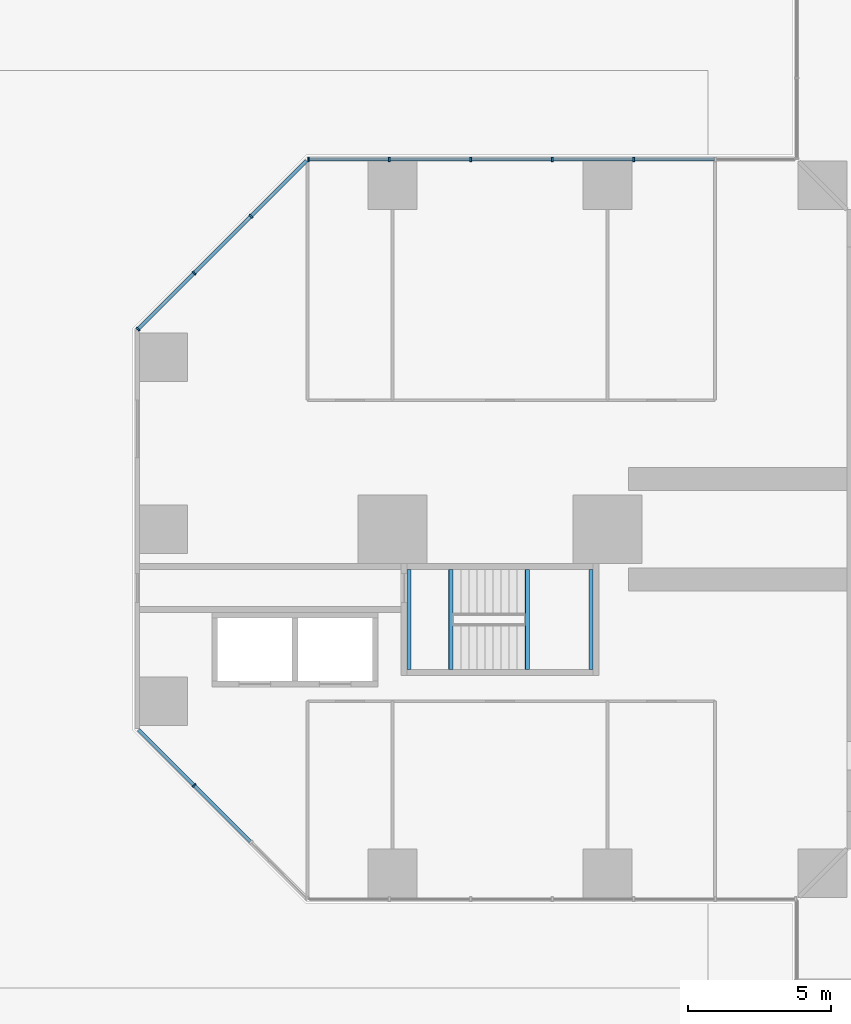
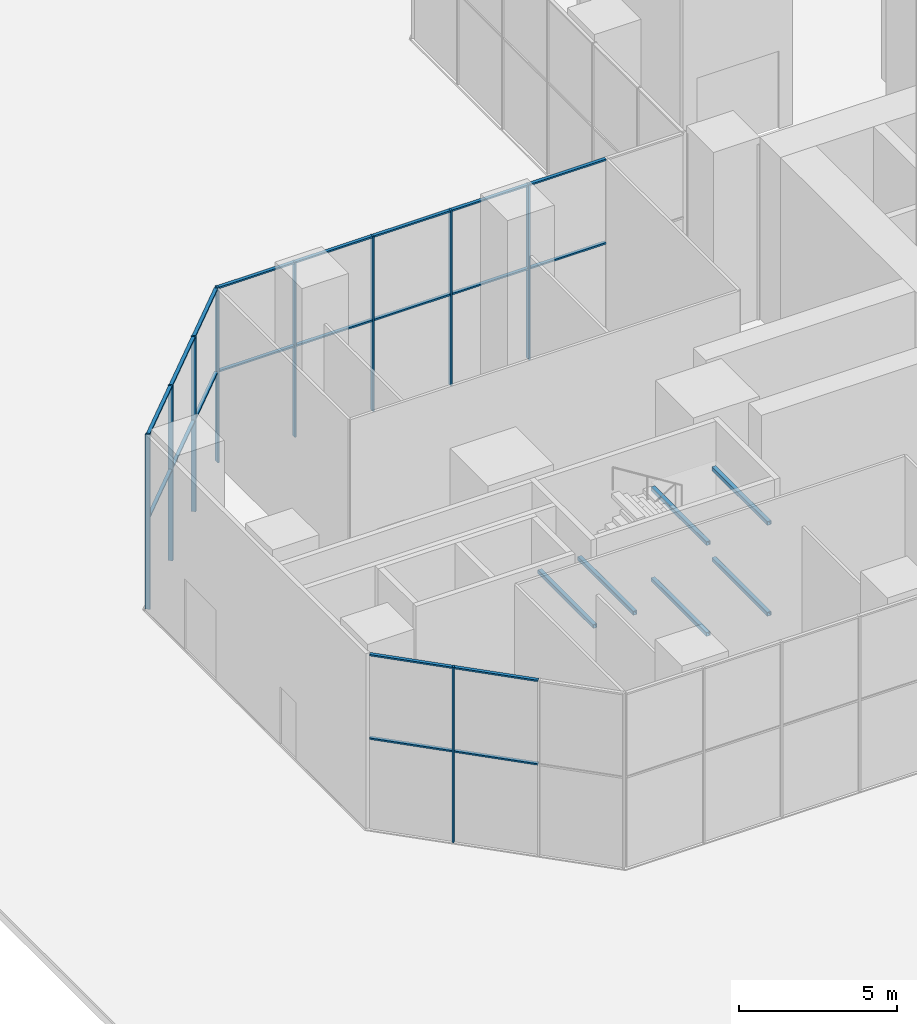
# One storey, part 8 of 43: 29 members, 6 beams, 3 elements without a shape of their own.
"""IFC4 building model written with IfcOpenShell, lengths in metres."""

from ifc_helpers import new_model, si_unit, direction, frame, origin, origin_2d, place, context, subcontext, project, spatial, rectangle, hollow_rectangle, extrude, material, material_profile, profile_set, type_object, element, aggregate, save


model = new_model("IFC4")

# Units and contexts
model_context = context("Model", 3, precision=1e-05, world=origin(), true_north=direction((0.0, 1.0)))
body_context = subcontext(model_context, "Body", "Model", "MODEL_VIEW")
ifc_project = project(units=[si_unit("LENGTHUNIT", "METRE"), si_unit("AREAUNIT", "SQUARE_METRE"), si_unit("VOLUMEUNIT", "CUBIC_METRE"), si_unit("PLANEANGLEUNIT", "RADIAN"), si_unit("MASSUNIT", "GRAM", prefix="KILO")], contexts=[model_context])

# Site, building, storey
site_placement = place(None, origin())
site = spatial("IfcSite", under=ifc_project, at=site_placement, CompositionType="ELEMENT")
building_placement = place(site_placement, origin())
building = spatial("IfcBuilding", under=site, at=building_placement, Name="Mizan Broadcast Tower", CompositionType="ELEMENT")
storey_placement = place(building_placement, origin())
storey = spatial("IfcBuildingStorey", under=building, at=storey_placement, Name="L00", CompositionType="ELEMENT", Elevation=0.0)

# Curtain wall, members
ifc_material_1 = material(Name="Aluminium framed glazing", Category="aluminium")
curtain_wall_type = type_object("IfcCurtainWallType", Name="PODIUM CURTAIN WALL", PredefinedType="USERDEFINED", material=ifc_material_1)
curtain_wall_1_placement = place(storey_placement, origin())
curtain_wall_1 = element("IfcCurtainWall", 1, at=curtain_wall_1_placement, inside=storey, type_object=curtain_wall_type, Name="Podium curtain wall L00 W side", ObjectType="PODIUM CURTAIN WALL", PredefinedType="USERDEFINED")
ifc_material_2 = material(Name="Aluminium, pale anodised", Category="aluminium")
ifc_material_profile_1 = material_profile(ifc_material_2, rectangle(XDim=0.159912109375, YDim=0.06005859375, at=origin_2d()), Name="MULLION 160x60")
ifc_profile_set_1 = profile_set([ifc_material_profile_1], Name="Aluminium, pale anodised")
member_type_1 = type_object("IfcMemberType", Name="INNER SKIN MULLION 60x160", PredefinedType="MULLION", material=ifc_profile_set_1)
member_1_placement = place(storey_placement, frame((-18.586181640625, 12.89990234375, 0.0), z_axis=(0.0, 0.0, 1.0), x_axis=(0.0, -1.0, 0.0)))
member_1 = element("IfcMember", 2, at=member_1_placement, type_object=member_type_1, Name="Podium curtain wall L00 W side mullion 3", PredefinedType="MULLION", context=body_context, shape_type="SweptSolid", body=[
    extrude(rectangle(XDim=0.159912109375, YDim=0.06005859375, at=origin_2d()), origin(), (0.0, 0.0, 1.0), 6.75),
])
member_2_placement = place(storey_placement, frame((-21.42919921875, 12.89990234375, 0.0), z_axis=(0.0, 0.0, 1.0), x_axis=(0.0, -1.0, 0.0)))
member_2 = element("IfcMember", 3, at=member_2_placement, type_object=member_type_1, Name="Podium curtain wall L00 W side mullion 4", PredefinedType="MULLION", context=body_context, shape_type="SweptSolid", body=[
    extrude(rectangle(XDim=0.159912109375, YDim=0.06005859375, at=origin_2d()), origin(), (0.0, 0.0, 1.0), 6.75),
])
member_3_placement = place(storey_placement, frame((-24.2724609375, 12.89990234375, 0.0), z_axis=(0.0, 0.0, 1.0), x_axis=(0.0, -1.0, 0.0)))
member_3 = element("IfcMember", 4, at=member_3_placement, type_object=member_type_1, Name="Podium curtain wall L00 W side mullion 5", PredefinedType="MULLION", context=body_context, shape_type="SweptSolid", body=[
    extrude(rectangle(XDim=0.159912109375, YDim=0.06005859375, at=origin_2d()), origin(), (0.0, 0.0, 1.0), 6.75),
])
member_4_placement = place(storey_placement, frame((-27.115478515625, 12.89990234375, 0.0), z_axis=(0.0, 0.0, 1.0), x_axis=(0.0, -1.0, 0.0)))
member_4 = element("IfcMember", 5, at=member_4_placement, type_object=member_type_1, Name="Podium curtain wall L00 W side mullion 6", PredefinedType="MULLION", context=body_context, shape_type="SweptSolid", body=[
    extrude(rectangle(XDim=0.159912109375, YDim=0.06005859375, at=origin_2d()), origin(), (0.0, 0.0, 1.0), 6.75),
])
member_5_placement = place(storey_placement, frame((-29.928466796875, 12.89990234375, 0.0), z_axis=(0.0, 0.0, 1.0), x_axis=(0.0, -1.0, 0.0)))
member_5 = element("IfcMember", 6, at=member_5_placement, type_object=member_type_1, Name="Podium curtain wall L00 W side mullion 7", PredefinedType="MULLION", context=body_context, shape_type="SweptSolid", body=[
    extrude(rectangle(XDim=0.159912109375, YDim=0.06005859375, at=origin_2d()), origin(), (0.0, 0.0, 1.0), 6.75),
])

curtain_wall_2_placement = place(storey_placement, origin())
curtain_wall_2 = element("IfcCurtainWall", 7, at=curtain_wall_2_placement, inside=storey, type_object=curtain_wall_type, Name="Podium curtain wall L00 W chamfer", ObjectType="PODIUM CURTAIN WALL", PredefinedType="USERDEFINED")
member_6_placement = place(storey_placement, frame((-31.93896484375, 10.91943359375, 0.0), z_axis=(0.0, 0.0, 1.0), x_axis=(0.707106781187, -0.707106781187, 0.0)))
member_6 = element("IfcMember", 8, at=member_6_placement, type_object=member_type_1, Name="Podium curtain wall L00 W chamfer mullion 2", PredefinedType="MULLION", context=body_context, shape_type="SweptSolid", body=[
    extrude(rectangle(XDim=0.159912109375, YDim=0.06005859375, at=origin_2d()), origin(), (0.0, 0.0, 1.0), 6.75),
])
member_7_placement = place(storey_placement, frame((-33.91943359375, 8.93896484375, 0.0), z_axis=(0.0, 0.0, 1.0), x_axis=(0.707106781187, -0.707106781187, 0.0)))
member_7 = element("IfcMember", 9, at=member_7_placement, type_object=member_type_1, Name="Podium curtain wall L00 W chamfer mullion 3", PredefinedType="MULLION", context=body_context, shape_type="SweptSolid", body=[
    extrude(rectangle(XDim=0.159912109375, YDim=0.06005859375, at=origin_2d()), origin(), (0.0, 0.0, 1.0), 6.75),
])
member_8_placement = place(storey_placement, frame((-35.87890625, 6.979736328125, 0.0), z_axis=(0.0, 0.0, 1.0), x_axis=(0.707106781187, -0.707106781187, 0.0)))
member_8 = element("IfcMember", 10, at=member_8_placement, type_object=member_type_1, Name="Podium curtain wall L00 W chamfer mullion 4", PredefinedType="MULLION", context=body_context, shape_type="SweptSolid", body=[
    extrude(rectangle(XDim=0.159912109375, YDim=0.06005859375, at=origin_2d()), origin(), (0.0, 0.0, 1.0), 6.75),
])

# Curtain wall, member
curtain_wall_3_placement = place(storey_placement, origin())
curtain_wall_3 = element("IfcCurtainWall", 11, at=curtain_wall_3_placement, inside=storey, type_object=curtain_wall_type, Name="Podium curtain wall L00 W chamfer", ObjectType="PODIUM CURTAIN WALL", PredefinedType="USERDEFINED")
member_9_placement = place(storey_placement, frame((-33.91943359375, -8.93896484375, 0.0), z_axis=(0.0, 0.0, 1.0), x_axis=(0.707106781187, 0.707106781187, 0.0)))
member_9 = element("IfcMember", 12, at=member_9_placement, type_object=member_type_1, Name="Podium curtain wall L00 W chamfer mullion 2", PredefinedType="MULLION", context=body_context, shape_type="SweptSolid", body=[
    extrude(rectangle(XDim=0.159912109375, YDim=0.06005859375, at=origin_2d()), origin(), (0.0, 0.0, 1.0), 6.75),
])

# Member
ifc_material_3 = material(Name="Aluminium, pale anodised", Category="aluminium")
ifc_material_profile_2 = material_profile(ifc_material_3, rectangle(XDim=0.1201171875, YDim=0.06005859375, at=origin_2d()), Name="TRANSOM 120x60")
ifc_profile_set_2 = profile_set([ifc_material_profile_2], Name="Aluminium, pale anodised")
member_type_2 = type_object("IfcMemberType", Name="INNER SKIN TRANSOM 60x120", PredefinedType="USERDEFINED", material=ifc_profile_set_2)
member_10_placement = place(storey_placement, frame((-15.773193359375, 12.89990234375, 3.5), z_axis=(-1.0, 0.0, 0.0), x_axis=(0.0, -1.0, 0.0)))
member_10 = element("IfcMember", 13, at=member_10_placement, type_object=member_type_2, Name="Podium curtain wall L00 W side transom 2.1", ObjectType="TRANSOM", PredefinedType="USERDEFINED", context=body_context, shape_type="SweptSolid", body=[
    extrude(rectangle(XDim=0.1201171875, YDim=0.06005859375, at=origin_2d()), origin(), (0.0, 0.0, 1.0), 2.782958984375),
])

member_11_placement = place(storey_placement, frame((-15.773193359375, 12.89990234375, 6.719970703125), z_axis=(-1.0, 0.0, 0.0), x_axis=(0.0, -1.0, 0.0)))
member_11 = element("IfcMember", 14, at=member_11_placement, type_object=member_type_2, Name="Podium curtain wall L00 W side transom 2.2", ObjectType="TRANSOM", PredefinedType="USERDEFINED", context=body_context, shape_type="SweptSolid", body=[
    extrude(rectangle(XDim=0.1201171875, YDim=0.06005859375, at=origin_2d()), origin(), (0.0, 0.0, 1.0), 2.782958984375),
])

member_12_placement = place(storey_placement, frame((-18.6162109375, 12.89990234375, 3.5), z_axis=(-1.0, 0.0, 0.0), x_axis=(0.0, -1.0, 0.0)))
member_12 = element("IfcMember", 15, at=member_12_placement, type_object=member_type_2, Name="Podium curtain wall L00 W side transom 3.1", ObjectType="TRANSOM", PredefinedType="USERDEFINED", context=body_context, shape_type="SweptSolid", body=[
    extrude(rectangle(XDim=0.1201171875, YDim=0.06005859375, at=origin_2d()), origin(), (0.0, 0.0, 1.0), 2.782958984375),
])

member_13_placement = place(storey_placement, frame((-18.6162109375, 12.89990234375, 6.719970703125), z_axis=(-1.0, 0.0, 0.0), x_axis=(0.0, -1.0, 0.0)))
member_13 = element("IfcMember", 16, at=member_13_placement, type_object=member_type_2, Name="Podium curtain wall L00 W side transom 3.2", ObjectType="TRANSOM", PredefinedType="USERDEFINED", context=body_context, shape_type="SweptSolid", body=[
    extrude(rectangle(XDim=0.1201171875, YDim=0.06005859375, at=origin_2d()), origin(), (0.0, 0.0, 1.0), 2.782958984375),
])

member_14_placement = place(storey_placement, frame((-21.459228515625, 12.89990234375, 3.5), z_axis=(-1.0, 0.0, 0.0), x_axis=(0.0, -1.0, 0.0)))
member_14 = element("IfcMember", 17, at=member_14_placement, type_object=member_type_2, Name="Podium curtain wall L00 W side transom 4.1", ObjectType="TRANSOM", PredefinedType="USERDEFINED", context=body_context, shape_type="SweptSolid", body=[
    extrude(rectangle(XDim=0.1201171875, YDim=0.06005859375, at=origin_2d()), origin(), (0.0, 0.0, 1.0), 2.783203125),
])

member_15_placement = place(storey_placement, frame((-21.459228515625, 12.89990234375, 6.719970703125), z_axis=(-1.0, 0.0, 0.0), x_axis=(0.0, -1.0, 0.0)))
member_15 = element("IfcMember", 18, at=member_15_placement, type_object=member_type_2, Name="Podium curtain wall L00 W side transom 4.2", ObjectType="TRANSOM", PredefinedType="USERDEFINED", context=body_context, shape_type="SweptSolid", body=[
    extrude(rectangle(XDim=0.1201171875, YDim=0.06005859375, at=origin_2d()), origin(), (0.0, 0.0, 1.0), 2.783203125),
])

member_16_placement = place(storey_placement, frame((-24.302490234375, 12.89990234375, 3.5), z_axis=(-1.0, 0.0, 0.0), x_axis=(0.0, -1.0, 0.0)))
member_16 = element("IfcMember", 19, at=member_16_placement, type_object=member_type_2, Name="Podium curtain wall L00 W side transom 5.1", ObjectType="TRANSOM", PredefinedType="USERDEFINED", context=body_context, shape_type="SweptSolid", body=[
    extrude(rectangle(XDim=0.1201171875, YDim=0.06005859375, at=origin_2d()), origin(), (0.0, 0.0, 1.0), 2.782958984375),
])

member_17_placement = place(storey_placement, frame((-24.302490234375, 12.89990234375, 6.719970703125), z_axis=(-1.0, 0.0, 0.0), x_axis=(0.0, -1.0, 0.0)))
member_17 = element("IfcMember", 20, at=member_17_placement, type_object=member_type_2, Name="Podium curtain wall L00 W side transom 5.2", ObjectType="TRANSOM", PredefinedType="USERDEFINED", context=body_context, shape_type="SweptSolid", body=[
    extrude(rectangle(XDim=0.1201171875, YDim=0.06005859375, at=origin_2d()), origin(), (0.0, 0.0, 1.0), 2.782958984375),
])

member_18_placement = place(storey_placement, frame((-27.1455078125, 12.89990234375, 3.5), z_axis=(-1.0, 0.0, 0.0), x_axis=(0.0, -1.0, 0.0)))
member_18 = element("IfcMember", 21, at=member_18_placement, type_object=member_type_2, Name="Podium curtain wall L00 W side transom 6.1", ObjectType="TRANSOM", PredefinedType="USERDEFINED", context=body_context, shape_type="SweptSolid", body=[
    extrude(rectangle(XDim=0.1201171875, YDim=0.06005859375, at=origin_2d()), origin(), (0.0, 0.0, 1.0), 2.753173828125),
])

member_19_placement = place(storey_placement, frame((-27.1455078125, 12.89990234375, 6.719970703125), z_axis=(-1.0, 0.0, 0.0), x_axis=(0.0, -1.0, 0.0)))
member_19 = element("IfcMember", 22, at=member_19_placement, type_object=member_type_2, Name="Podium curtain wall L00 W side transom 6.2", ObjectType="TRANSOM", PredefinedType="USERDEFINED", context=body_context, shape_type="SweptSolid", body=[
    extrude(rectangle(XDim=0.1201171875, YDim=0.06005859375, at=origin_2d()), origin(), (0.0, 0.0, 1.0), 2.753173828125),
])

aggregate(curtain_wall_1, [member_1, member_2, member_3, member_4, member_5, member_10, member_11, member_12, member_13, member_14, member_15, member_16, member_17, member_18, member_19])

member_20_placement = place(storey_placement, frame((-30.0009765625, 12.857666015625, 3.5), z_axis=(-0.707061749709, -0.707151809797, 0.0), x_axis=(0.707151809797, -0.707061749709, 0.0)))
member_20 = element("IfcMember", 23, at=member_20_placement, type_object=member_type_2, Name="Podium curtain wall L00 W chamfer transom 1.1", ObjectType="TRANSOM", PredefinedType="USERDEFINED", context=body_context, shape_type="SweptSolid", body=[
    extrude(rectangle(XDim=0.1201171875, YDim=0.06005859375, at=origin_2d()), origin(), (0.0, 0.0, 1.0), 2.7109375),
])

member_21_placement = place(storey_placement, frame((-30.0009765625, 12.857666015625, 6.719970703125), z_axis=(-0.707061749709, -0.707151809797, 0.0), x_axis=(0.707151809797, -0.707061749709, 0.0)))
member_21 = element("IfcMember", 24, at=member_21_placement, type_object=member_type_2, Name="Podium curtain wall L00 W chamfer transom 1.2", ObjectType="TRANSOM", PredefinedType="USERDEFINED", context=body_context, shape_type="SweptSolid", body=[
    extrude(rectangle(XDim=0.1201171875, YDim=0.06005859375, at=origin_2d()), origin(), (0.0, 0.0, 1.0), 2.7109375),
])

member_22_placement = place(storey_placement, frame((-31.960205078125, 10.898193359375, 3.5), z_axis=(-0.707106781187, -0.707106781187, 0.0), x_axis=(0.707106781187, -0.707106781187, 0.0)))
member_22 = element("IfcMember", 25, at=member_22_placement, type_object=member_type_2, Name="Podium curtain wall L00 W chamfer transom 2.1", ObjectType="TRANSOM", PredefinedType="USERDEFINED", context=body_context, shape_type="SweptSolid", body=[
    extrude(rectangle(XDim=0.1201171875, YDim=0.06005859375, at=origin_2d()), origin(), (0.0, 0.0, 1.0), 2.74072265625),
])

member_23_placement = place(storey_placement, frame((-31.960205078125, 10.898193359375, 6.719970703125), z_axis=(-0.707106781187, -0.707106781187, 0.0), x_axis=(0.707106781187, -0.707106781187, 0.0)))
member_23 = element("IfcMember", 26, at=member_23_placement, type_object=member_type_2, Name="Podium curtain wall L00 W chamfer transom 2.2", ObjectType="TRANSOM", PredefinedType="USERDEFINED", context=body_context, shape_type="SweptSolid", body=[
    extrude(rectangle(XDim=0.1201171875, YDim=0.06005859375, at=origin_2d()), origin(), (0.0, 0.0, 1.0), 2.74072265625),
])

member_24_placement = place(storey_placement, frame((-33.940673828125, 8.917724609375, 3.5), z_axis=(-0.707151809797, -0.707061749709, 0.0), x_axis=(0.707061749709, -0.707151809797, 0.0)))
member_24 = element("IfcMember", 27, at=member_24_placement, type_object=member_type_2, Name="Podium curtain wall L00 W chamfer transom 3.1", ObjectType="TRANSOM", PredefinedType="USERDEFINED", context=body_context, shape_type="SweptSolid", body=[
    extrude(rectangle(XDim=0.1201171875, YDim=0.06005859375, at=origin_2d()), origin(), (0.0, 0.0, 1.0), 2.7109375),
])

member_25_placement = place(storey_placement, frame((-33.940673828125, 8.917724609375, 6.719970703125), z_axis=(-0.707151809797, -0.707061749709, 0.0), x_axis=(0.707061749709, -0.707151809797, 0.0)))
member_25 = element("IfcMember", 28, at=member_25_placement, type_object=member_type_2, Name="Podium curtain wall L00 W chamfer transom 3.2", ObjectType="TRANSOM", PredefinedType="USERDEFINED", context=body_context, shape_type="SweptSolid", body=[
    extrude(rectangle(XDim=0.1201171875, YDim=0.06005859375, at=origin_2d()), origin(), (0.0, 0.0, 1.0), 2.7109375),
])

aggregate(curtain_wall_2, [member_6, member_7, member_8, member_20, member_21, member_22, member_23, member_24, member_25])

member_26_placement = place(storey_placement, frame((-35.857666015625, -7.0009765625, 3.5), z_axis=(0.707151809797, -0.707061749709, 0.0), x_axis=(0.707061749709, 0.707151809797, 0.0)))
member_26 = element("IfcMember", 29, at=member_26_placement, type_object=member_type_2, Name="Podium curtain wall L00 W chamfer transom 1.1", ObjectType="TRANSOM", PredefinedType="USERDEFINED", context=body_context, shape_type="SweptSolid", body=[
    extrude(rectangle(XDim=0.1201171875, YDim=0.06005859375, at=origin_2d()), origin(), (0.0, 0.0, 1.0), 2.7109375),
])

member_27_placement = place(storey_placement, frame((-35.857666015625, -7.0009765625, 6.719970703125), z_axis=(0.707151809797, -0.707061749709, 0.0), x_axis=(0.707061749709, 0.707151809797, 0.0)))
member_27 = element("IfcMember", 30, at=member_27_placement, type_object=member_type_2, Name="Podium curtain wall L00 W chamfer transom 1.2", ObjectType="TRANSOM", PredefinedType="USERDEFINED", context=body_context, shape_type="SweptSolid", body=[
    extrude(rectangle(XDim=0.1201171875, YDim=0.06005859375, at=origin_2d()), origin(), (0.0, 0.0, 1.0), 2.7109375),
])

member_28_placement = place(storey_placement, frame((-33.898193359375, -8.960205078125, 3.5), z_axis=(0.707106781187, -0.707106781187, 0.0), x_axis=(0.707106781187, 0.707106781187, 0.0)))
member_28 = element("IfcMember", 31, at=member_28_placement, type_object=member_type_2, Name="Podium curtain wall L00 W chamfer transom 2.1", ObjectType="TRANSOM", PredefinedType="USERDEFINED", context=body_context, shape_type="SweptSolid", body=[
    extrude(rectangle(XDim=0.1201171875, YDim=0.06005859375, at=origin_2d()), origin(), (0.0, 0.0, 1.0), 2.74072265625),
])

member_29_placement = place(storey_placement, frame((-33.898193359375, -8.960205078125, 6.719970703125), z_axis=(0.707106781187, -0.707106781187, 0.0), x_axis=(0.707106781187, 0.707106781187, 0.0)))
member_29 = element("IfcMember", 32, at=member_29_placement, type_object=member_type_2, Name="Podium curtain wall L00 W chamfer transom 2.2", ObjectType="TRANSOM", PredefinedType="USERDEFINED", context=body_context, shape_type="SweptSolid", body=[
    extrude(rectangle(XDim=0.1201171875, YDim=0.06005859375, at=origin_2d()), origin(), (0.0, 0.0, 1.0), 2.74072265625),
])

aggregate(curtain_wall_3, [member_9, member_26, member_27, member_28, member_29])

# Beams
ifc_material_4 = material(Name="Steel S355", Category="steel")
ifc_material_profile_3 = material_profile(ifc_material_4, hollow_rectangle(XDim=0.14990234375, YDim=0.14990234375, WallThickness=0.008056640625, InnerFilletRadius=0.008056640625, OuterFilletRadius=0.011962890625, at=origin_2d()), Name="SHS 150x150x8")
ifc_profile_set_3 = profile_set([ifc_material_profile_3], Name="Steel S355")
beam_type = type_object("IfcBeamType", Name="LANDING TRIMMER SHS 150x150x8", PredefinedType="BEAM", material=ifc_profile_set_3)
for number, where, z_axis, x_axis, name in (
    (33, (-22.294921875, -1.39990234375, 1.47509765625), (0.0, -1.0, 0.0), (1.0, 0.0, 0.0), "Stair D landing trimmer L00"),
    (34, (-20.074951171875, -1.39990234375, 1.47509765625), (0.0, -1.0, 0.0), (1.0, 0.0, 0.0), "Stair D landing trimmer L00"),
    (35, (-26.425048828125, -1.39990234375, 3.22509765625), (0.0, -1.0, 0.0), (1.0, 0.0, 0.0), "Stair D landing trimmer L00"),
    (36, (-24.965087890625, -1.39990234375, 3.22509765625), (0.0, -1.0, 0.0), (1.0, 0.0, 0.0), "Stair D landing trimmer L00"),
    (37, (-22.294921875, -1.39990234375, 4.97509765625), (0.0, -1.0, 0.0), (1.0, 0.0, 0.0), "Stair D landing trimmer L00"),
    (38, (-20.074951171875, -1.39990234375, 4.97509765625), (0.0, -1.0, 0.0), (1.0, 0.0, 0.0), "Stair D landing trimmer L00"),
):
    element("IfcBeam", number, at=place(storey_placement, frame(where, z_axis=z_axis, x_axis=x_axis)), inside=storey, type_object=beam_type, Name=name, PredefinedType="BEAM", context=body_context, shape_type="SweptSolid", body=[
        extrude(hollow_rectangle(XDim=0.14990234375, YDim=0.14990234375, WallThickness=0.008056640625, InnerFilletRadius=0.008056640625, OuterFilletRadius=0.011962890625, at=origin_2d()), origin(), (0.0, 0.0, 1.0), 3.5),
    ])

save(model, "model.ifc")
